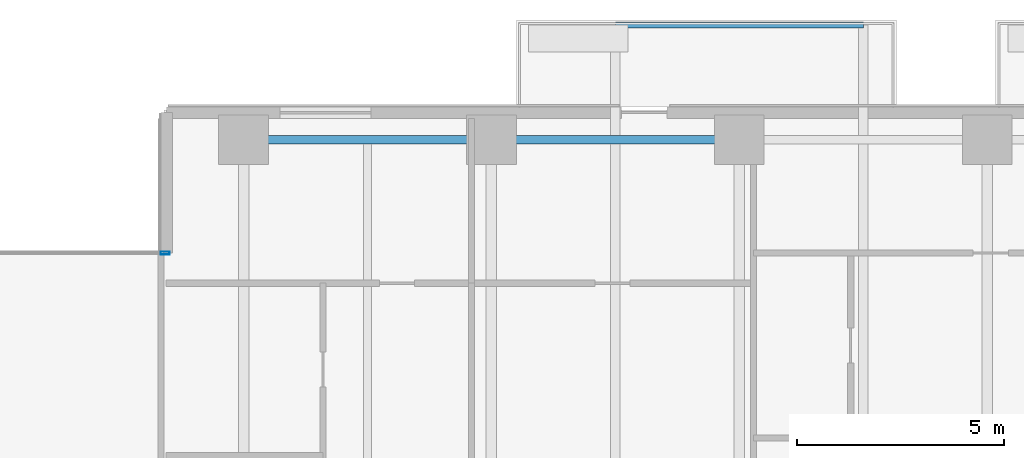
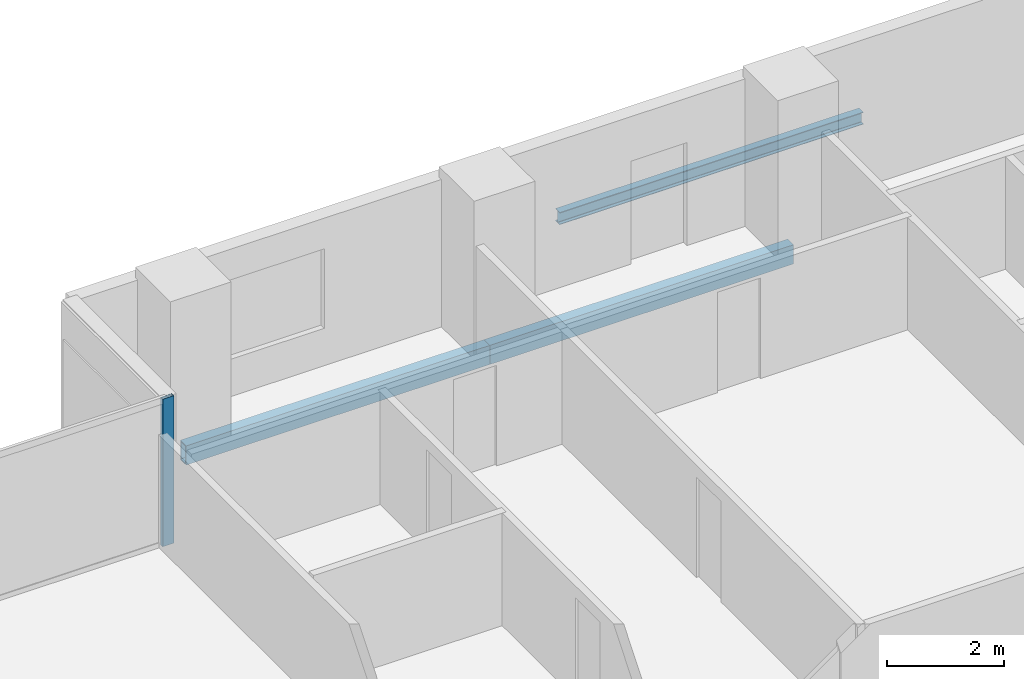
# One storey, part 8 of 26: 3 beams, 1 member, 1 element without a shape of its own.
"""IFC4 building model written with IfcOpenShell, lengths in metres."""

from ifc_helpers import new_model, si_unit, direction, frame, origin, origin_2d, place, context, subcontext, project, spatial, hollow_rectangle, i_section, extrude, material, layer, layer_set, material_profile, profile_set, type_object, element, aggregate, save


model = new_model("IFC4")

# Units and contexts
model_context = context("Model", 3, precision=1e-05, world=origin(), true_north=direction((0.0, 1.0)))
body_context = subcontext(model_context, "Body", "Model", "MODEL_VIEW")
ifc_project = project(units=[si_unit("LENGTHUNIT", "METRE"), si_unit("AREAUNIT", "SQUARE_METRE"), si_unit("VOLUMEUNIT", "CUBIC_METRE"), si_unit("PLANEANGLEUNIT", "RADIAN"), si_unit("MASSUNIT", "GRAM", prefix="KILO")], contexts=[model_context])

# Site, building, storey
site_placement = place(None, origin())
site = spatial("IfcSite", under=ifc_project, at=site_placement, CompositionType="ELEMENT")
building_placement = place(site_placement, origin())
building = spatial("IfcBuilding", under=site, at=building_placement, Name="Tanjung Sevakor Pilgrim Tower", CompositionType="ELEMENT")
storey_placement = place(building_placement, frame((0.0, 0.0, 48.840087890625)))
storey = spatial("IfcBuildingStorey", under=building, at=storey_placement, Name="L13", CompositionType="ELEMENT", Elevation=48.840087890625)

# Beams
ifc_material_1 = material(Name="Steel S355J2", Category="steel")
ifc_material_profile_1 = material_profile(ifc_material_1, i_section(OverallWidth=0.146484375, OverallDepth=0.256103515625, WebThickness=0.00634765625, FlangeThickness=0.010986328125, FilletRadius=0.007568359375, at=origin_2d()))
ifc_profile_set_1 = profile_set([ifc_material_profile_1], Name="Steel S355J2")
beam_type_1 = type_object("IfcBeamType", Name="BM-B-J6-UB_254x146x37", PredefinedType="JOIST", material=ifc_profile_set_1)
beam_placement = place(storey_placement, frame((63.0, 61.580078125, -0.328125), z_axis=(1.0, 0.0, 0.0), x_axis=(0.0, 1.0, 0.0)))
element("IfcBeam", 1, at=beam_placement, inside=storey, type_object=beam_type_1, Name="L13 Balcony Rim Tie MAIN-N2", PredefinedType="JOIST", context=body_context, shape_type="SweptSolid", body=[
    extrude(i_section(OverallWidth=0.146484375, OverallDepth=0.256103515625, WebThickness=0.00634765625, FlangeThickness=0.010986328125, FilletRadius=0.007568359375, at=origin_2d()), origin(), (0.0, 0.0, 1.0), 6.0),
])
ifc_material_2 = material(Name="Steel S355J2", Category="steel")
ifc_material_profile_2 = material_profile(ifc_material_2, hollow_rectangle(XDim=0.199951171875, YDim=0.39990234375, WallThickness=0.01611328125, at=origin_2d()))
ifc_profile_set_2 = profile_set([ifc_material_profile_2], Name="Steel S355J2")
beam_type_2 = type_object("IfcBeamType", Name="BM-B-SP2-RHS_400x200x16", PredefinedType="SPANDREL", material=ifc_profile_set_2)
for number, where, z_axis, x_axis, name in (
    (2, (54.0, 58.800048828125, -0.420166015625), (1.0, 0.0, 0.0), (0.0, 1.0, 0.0), "L13 Spandrel MAIN N-08"),
    (3, (60.0, 58.800048828125, -0.420166015625), (1.0, 0.0, 0.0), (0.0, 1.0, 0.0), "L13 Spandrel MAIN N-10"),
):
    element("IfcBeam", number, at=place(storey_placement, frame(where, z_axis=z_axis, x_axis=x_axis)), inside=storey, type_object=beam_type_2, Name=name, PredefinedType="SPANDREL", context=body_context, shape_type="SweptSolid", body=[
        extrude(hollow_rectangle(XDim=0.199951171875, YDim=0.39990234375, WallThickness=0.01611328125, at=origin_2d()), origin(), (0.0, 0.0, 1.0), 6.0),
    ])

# Curtain wall, member
ifc_material_3 = material(Name="Aluminium 6063-T6 and Low-E Glass", Category="aluminium")
ifc_layer = layer(ifc_material_3, 0.179931640625)
ifc_layer_set = layer_set([ifc_layer], Name="CW-SYS-CLEFT")
curtain_wall_type = type_object("IfcCurtainWallType", Name="CW-SYS-CLEFT", PredefinedType="NOTDEFINED", material=ifc_layer_set)
curtain_wall_placement = place(storey_placement, origin())
curtain_wall = element("IfcCurtainWall", 4, at=curtain_wall_placement, inside=storey, type_object=curtain_wall_type, Name="L13 Curtain Wall CW-CLF-L13-10", PredefinedType="NOTDEFINED")
ifc_material_4 = material(Name="Aluminium 6063-T6", Category="aluminium")
ifc_material_profile_3 = material_profile(ifc_material_4, hollow_rectangle(XDim=0.074951171875, YDim=0.219970703125, WallThickness=0.0048828125, at=origin_2d()))
ifc_profile_set_3 = profile_set([ifc_material_profile_3], Name="Aluminium 6063-T6")
member_type = type_object("IfcMemberType", Name="TYPE-CWM-2", PredefinedType="MULLION", material=ifc_profile_set_3)
member_placement = place(storey_placement, frame((52.1025390625, 56.06005859375, 0.0), z_axis=(0.0, 0.0, 1.0), x_axis=(0.0, -1.0, 0.0)))
member = element("IfcMember", 5, at=member_placement, type_object=member_type, Name="CW-CLF mullion 1", PredefinedType="MULLION", context=body_context, shape_type="SweptSolid", body=[
    extrude(hollow_rectangle(XDim=0.074951171875, YDim=0.219970703125, WallThickness=0.0048828125, at=origin_2d()), origin(), (0.0, 0.0, 1.0), 3.079833984375),
])
aggregate(curtain_wall, [member])

save(model, "model.ifc")
